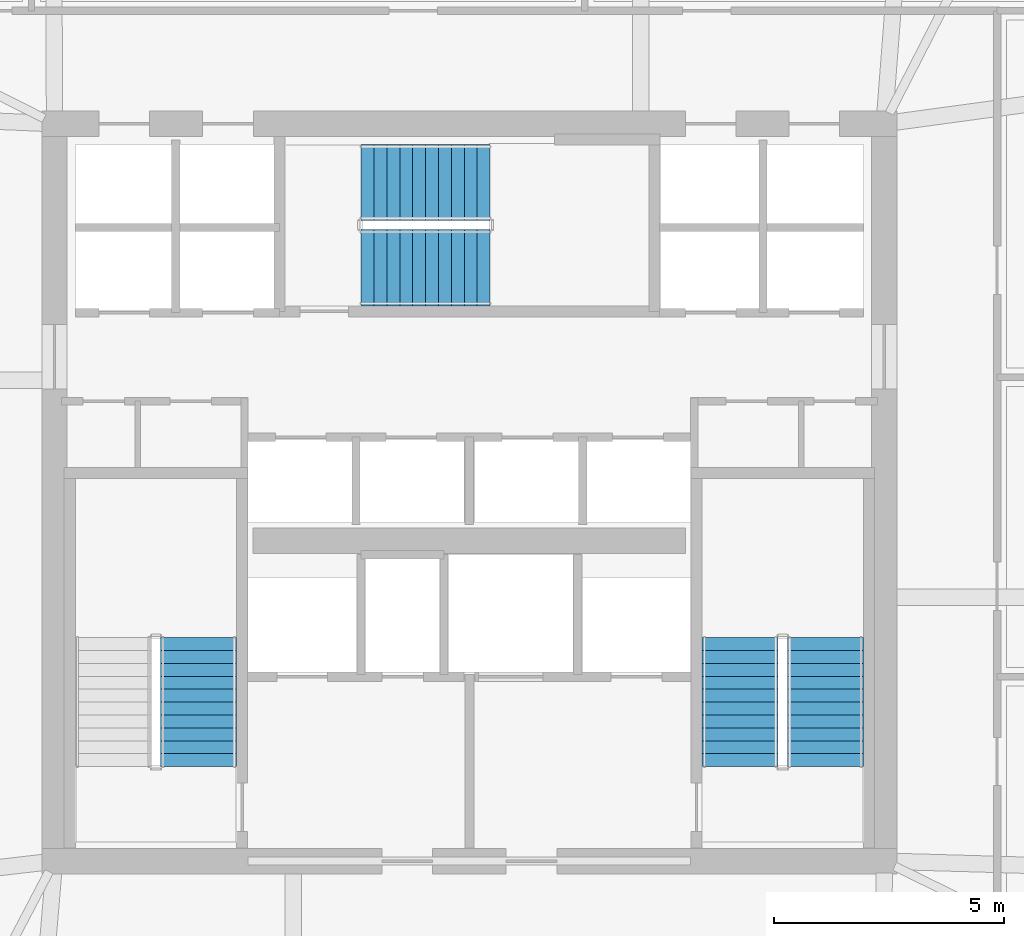
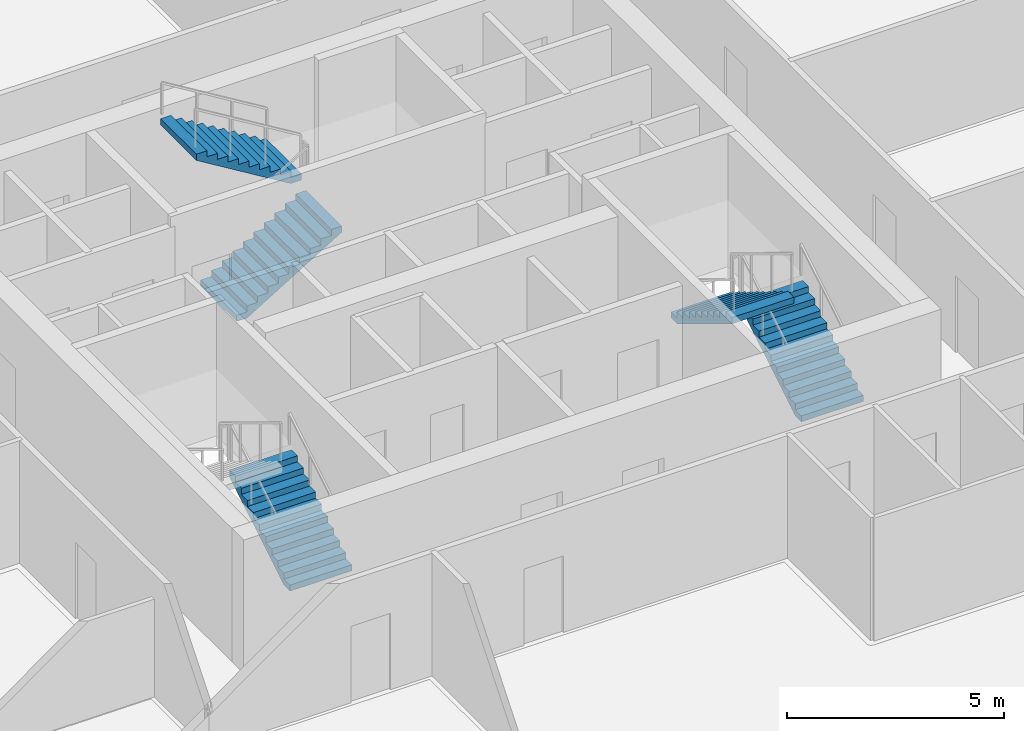
# One storey, part 28 of 34: 5 stair flights, 3 elements without a shape of their own.
"""IFC4 building model written with IfcOpenShell, lengths in metres."""

from ifc_helpers import new_model, si_unit, direction, frame, origin, place, context, subcontext, project, spatial, polyline, outline, extrude, material, type_object, element, aggregate, save


model = new_model("IFC4")

# Units and contexts
model_context = context("Model", 3, precision=1e-05, world=origin(), true_north=direction((0.0, 1.0)))
body_context = subcontext(model_context, "Body", "Model", "MODEL_VIEW")
ifc_project = project(units=[si_unit("LENGTHUNIT", "METRE"), si_unit("AREAUNIT", "SQUARE_METRE"), si_unit("VOLUMEUNIT", "CUBIC_METRE"), si_unit("PLANEANGLEUNIT", "RADIAN"), si_unit("MASSUNIT", "GRAM", prefix="KILO")], contexts=[model_context])

# Site, building, storey
site_placement = place(None, origin())
site = spatial("IfcSite", under=ifc_project, at=site_placement, CompositionType="ELEMENT")
building_placement = place(site_placement, origin())
building = spatial("IfcBuilding", under=site, at=building_placement, Name="Haldenkirk Collegiate Tower", CompositionType="ELEMENT")
storey_placement = place(building_placement, frame((0.0, 0.0, 90.449951171875)))
storey = spatial("IfcBuildingStorey", under=building, at=storey_placement, Name="L21", CompositionType="ELEMENT", Elevation=90.449951171875)

# Stair, stair flight
ifc_material = material(Name="Concrete f'c 40 MPa", Category="concrete")
stair_type = type_object("IfcStairType", Name="STR-DOGLEG-1650", PredefinedType="HALF_TURN_STAIR", material=ifc_material)
stair_1_placement = place(storey_placement, origin())
stair_1 = element("IfcStair", 1, at=stair_1_placement, inside=storey, type_object=stair_type, Name="L21 Core Exit Stair ST-1", PredefinedType="HALF_TURN_STAIR")
stair_flight_type = type_object("IfcStairFlightType", Name="STF-FLIGHT-1650", PredefinedType="STRAIGHT", material=ifc_material)
stair_flight_1_placement = place(storey_placement, frame((30.125, 20.050048828125, 0.0), z_axis=(0.0, 0.0, 1.0), x_axis=(0.0, 1.0, 0.0)))
stair_flight_1 = element("IfcStairFlight", 2, at=stair_flight_1_placement, type_object=stair_flight_type, Name="ST-1 flight 1", NumberOfRisers=11, NumberOfTreads=10, PredefinedType="STRAIGHT", RiserHeight=0.170454545, TreadLength=0.28, context=body_context, shape_type="SweptSolid", body=[
    extrude(outline(polyline([(0.0, 0.0), (0.0, 0.17041015625), (0.280029296875, 0.17041015625), (0.280029296875, 0.3408203125), (0.56005859375, 0.3408203125), (0.56005859375, 0.511474609375), (0.840087890625, 0.511474609375), (0.840087890625, 0.681884765625), (1.1201171875, 0.681884765625), (1.1201171875, 0.852294921875), (1.39990234375, 0.852294921875), (1.39990234375, 1.022705078125), (1.679931640625, 1.022705078125), (1.679931640625, 1.193115234375), (1.9599609375, 1.193115234375), (1.9599609375, 1.363525390625), (2.239990234375, 1.363525390625), (2.239990234375, 1.5341796875), (2.52001953125, 1.5341796875), (2.52001953125, 1.70458984375), (2.800048828125, 1.70458984375), (2.800048828125, 1.875), (2.800048828125, 1.529052734375), (0.288330078125, 0.0), (0.0, 0.0)])), frame((0.0, 0.824951171875, 0.0), z_axis=(0.0, -1.0, 0.0), x_axis=(1.0, 0.0, 0.0)), (0.0, 0.0, 1.0), 1.64990234375),
])
aggregate(stair_1, [stair_flight_1])

# Stair, stair flights
stair_2_placement = place(storey_placement, origin())
stair_2 = element("IfcStair", 3, at=stair_2_placement, inside=storey, type_object=stair_type, Name="L21 Core Exit Stair ST-2", PredefinedType="HALF_TURN_STAIR")
stair_flight_2_placement = place(storey_placement, frame((43.72509765625, 20.050048828125, 0.0), z_axis=(0.0, 0.0, 1.0), x_axis=(0.0, 1.0, 0.0)))
stair_flight_2 = element("IfcStairFlight", 4, at=stair_flight_2_placement, type_object=stair_flight_type, Name="ST-2 flight 1", NumberOfRisers=11, NumberOfTreads=10, PredefinedType="STRAIGHT", RiserHeight=0.170454545, TreadLength=0.28, context=body_context, shape_type="SweptSolid", body=[
    extrude(outline(polyline([(0.0, 0.0), (0.0, 0.17041015625), (0.280029296875, 0.17041015625), (0.280029296875, 0.3408203125), (0.56005859375, 0.3408203125), (0.56005859375, 0.511474609375), (0.840087890625, 0.511474609375), (0.840087890625, 0.681884765625), (1.1201171875, 0.681884765625), (1.1201171875, 0.852294921875), (1.39990234375, 0.852294921875), (1.39990234375, 1.022705078125), (1.679931640625, 1.022705078125), (1.679931640625, 1.193115234375), (1.9599609375, 1.193115234375), (1.9599609375, 1.363525390625), (2.239990234375, 1.363525390625), (2.239990234375, 1.5341796875), (2.52001953125, 1.5341796875), (2.52001953125, 1.70458984375), (2.800048828125, 1.70458984375), (2.800048828125, 1.875), (2.800048828125, 1.529052734375), (0.288330078125, 0.0), (0.0, 0.0)])), frame((0.0, 0.824951171875, 0.0), z_axis=(0.0, -1.0, 0.0), x_axis=(1.0, 0.0, 0.0)), (0.0, 0.0, 1.0), 1.64990234375),
])
stair_flight_3_placement = place(storey_placement, frame((41.875, 22.85009765625, 1.875), z_axis=(0.0, 0.0, 1.0), x_axis=(0.0, -1.0, 0.0)))
stair_flight_3 = element("IfcStairFlight", 5, at=stair_flight_3_placement, type_object=stair_flight_type, Name="ST-2 flight 2", NumberOfRisers=11, NumberOfTreads=10, PredefinedType="STRAIGHT", RiserHeight=0.170454545, TreadLength=0.28, context=body_context, shape_type="SweptSolid", body=[
    extrude(outline(polyline([(0.0, 0.0), (0.0, 0.17041015625), (0.280029296875, 0.17041015625), (0.280029296875, 0.3408203125), (0.56005859375, 0.3408203125), (0.56005859375, 0.511474609375), (0.840087890625, 0.511474609375), (0.840087890625, 0.681884765625), (1.1201171875, 0.681884765625), (1.1201171875, 0.852294921875), (1.39990234375, 0.852294921875), (1.39990234375, 1.022705078125), (1.679931640625, 1.022705078125), (1.679931640625, 1.193115234375), (1.9599609375, 1.193115234375), (1.9599609375, 1.363525390625), (2.239990234375, 1.363525390625), (2.239990234375, 1.5341796875), (2.52001953125, 1.5341796875), (2.52001953125, 1.70458984375), (2.800048828125, 1.70458984375), (2.800048828125, 1.875), (2.800048828125, 1.529052734375), (0.288330078125, 0.0), (0.0, 0.0)])), frame((0.0, 0.824951171875, 0.0), z_axis=(0.0, -1.0, 0.0), x_axis=(1.0, 0.0, 0.0)), (0.0, 0.0, 1.0), 1.64990234375),
])
aggregate(stair_2, [stair_flight_2, stair_flight_3])

stair_3_placement = place(storey_placement, origin())
stair_3 = element("IfcStair", 6, at=stair_3_placement, inside=storey, type_object=stair_type, Name="L21 Core Exit Stair ST-3", PredefinedType="HALF_TURN_STAIR")
stair_flight_4_placement = place(storey_placement, frame((33.64990234375, 30.875, 0.0), z_axis=(0.0, 0.0, 1.0), x_axis=(1.0, 0.0, 0.0)))
stair_flight_4 = element("IfcStairFlight", 7, at=stair_flight_4_placement, type_object=stair_flight_type, Name="ST-3 flight 1", NumberOfRisers=11, NumberOfTreads=10, PredefinedType="STRAIGHT", RiserHeight=0.170454545, TreadLength=0.28, context=body_context, shape_type="SweptSolid", body=[
    extrude(outline(polyline([(0.0, 0.0), (0.0, 0.17041015625), (0.280029296875, 0.17041015625), (0.280029296875, 0.3408203125), (0.56005859375, 0.3408203125), (0.56005859375, 0.511474609375), (0.840087890625, 0.511474609375), (0.840087890625, 0.681884765625), (1.1201171875, 0.681884765625), (1.1201171875, 0.852294921875), (1.39990234375, 0.852294921875), (1.39990234375, 1.022705078125), (1.679931640625, 1.022705078125), (1.679931640625, 1.193115234375), (1.9599609375, 1.193115234375), (1.9599609375, 1.363525390625), (2.239990234375, 1.363525390625), (2.239990234375, 1.5341796875), (2.52001953125, 1.5341796875), (2.52001953125, 1.70458984375), (2.800048828125, 1.70458984375), (2.800048828125, 1.875), (2.800048828125, 1.529052734375), (0.288330078125, 0.0), (0.0, 0.0)])), frame((0.0, 0.824951171875, 0.0), z_axis=(0.0, -1.0, 0.0), x_axis=(1.0, 0.0, 0.0)), (0.0, 0.0, 1.0), 1.64990234375),
])
stair_flight_5_placement = place(storey_placement, frame((36.449951171875, 32.72509765625, 1.875), z_axis=(0.0, 0.0, 1.0), x_axis=(-1.0, 0.0, 0.0)))
stair_flight_5 = element("IfcStairFlight", 8, at=stair_flight_5_placement, type_object=stair_flight_type, Name="ST-3 flight 2", NumberOfRisers=11, NumberOfTreads=10, PredefinedType="STRAIGHT", RiserHeight=0.170454545, TreadLength=0.28, context=body_context, shape_type="SweptSolid", body=[
    extrude(outline(polyline([(0.0, 0.0), (0.0, 0.17041015625), (0.280029296875, 0.17041015625), (0.280029296875, 0.3408203125), (0.56005859375, 0.3408203125), (0.56005859375, 0.511474609375), (0.840087890625, 0.511474609375), (0.840087890625, 0.681884765625), (1.1201171875, 0.681884765625), (1.1201171875, 0.852294921875), (1.39990234375, 0.852294921875), (1.39990234375, 1.022705078125), (1.679931640625, 1.022705078125), (1.679931640625, 1.193115234375), (1.9599609375, 1.193115234375), (1.9599609375, 1.363525390625), (2.239990234375, 1.363525390625), (2.239990234375, 1.5341796875), (2.52001953125, 1.5341796875), (2.52001953125, 1.70458984375), (2.800048828125, 1.70458984375), (2.800048828125, 1.875), (2.800048828125, 1.529052734375), (0.288330078125, 0.0), (0.0, 0.0)])), frame((0.0, 0.824951171875, 0.0), z_axis=(0.0, -1.0, 0.0), x_axis=(1.0, 0.0, 0.0)), (0.0, 0.0, 1.0), 1.64990234375),
])
aggregate(stair_3, [stair_flight_4, stair_flight_5])

save(model, "model.ifc")
